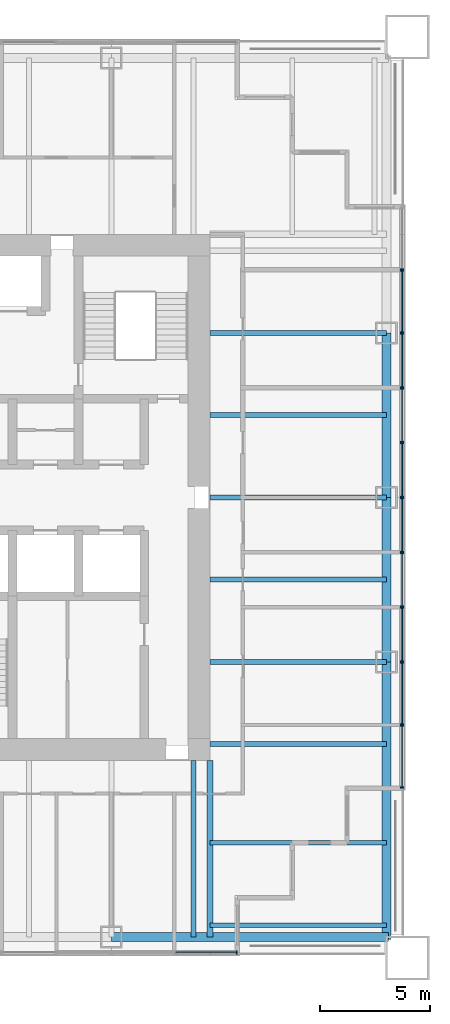
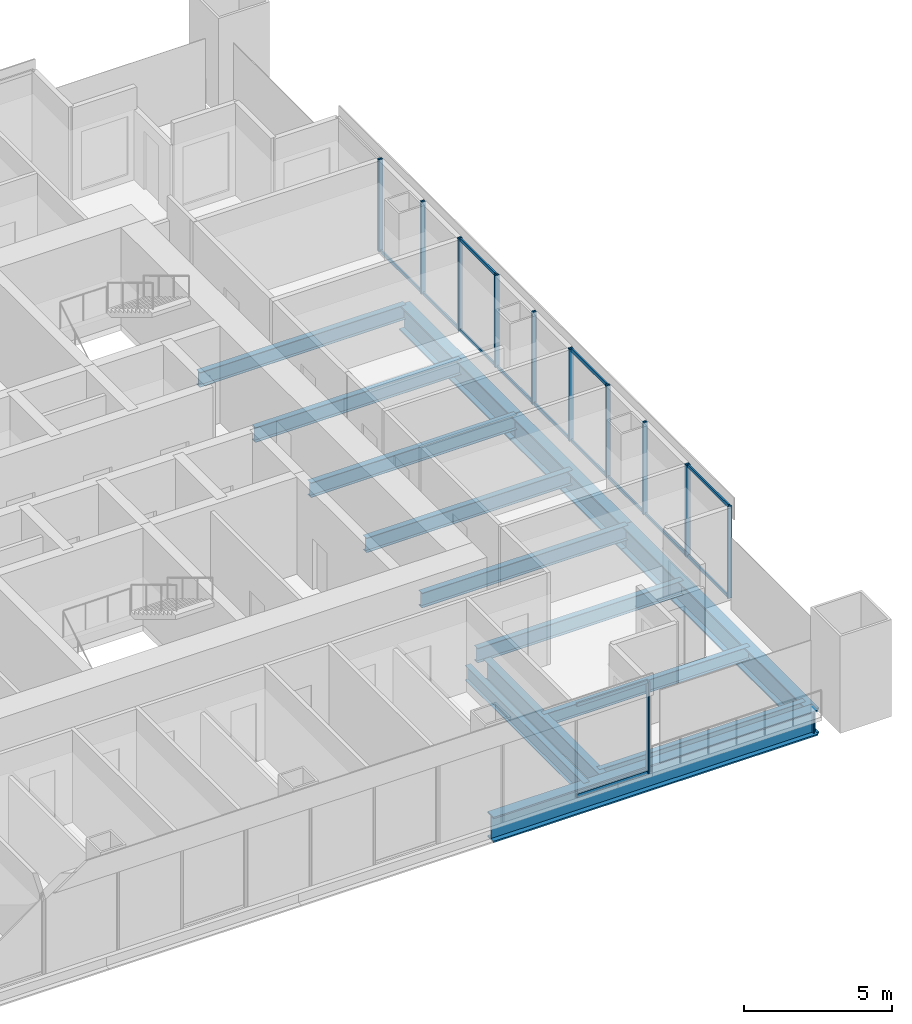
# One storey, part 5 of 15: 34 members, 14 beams, 11 elements without a shape of their own.
"""IFC4 building model written with IfcOpenShell, lengths in metres."""

from ifc_helpers import new_model, si_unit, direction, frame, origin, origin_2d, place, context, subcontext, project, spatial, rectangle, i_section, extrude, material, material_profile, profile_set, type_object, element, aggregate, save


model = new_model("IFC4")

# Units and contexts
model_context = context("Model", 3, precision=1e-05, world=origin(), true_north=direction((0.0, 1.0)))
body_context = subcontext(model_context, "Body", "Model", "MODEL_VIEW")
ifc_project = project(units=[si_unit("LENGTHUNIT", "METRE"), si_unit("AREAUNIT", "SQUARE_METRE"), si_unit("VOLUMEUNIT", "CUBIC_METRE"), si_unit("PLANEANGLEUNIT", "RADIAN"), si_unit("MASSUNIT", "GRAM", prefix="KILO")], contexts=[model_context])

# Site, building, storey
site_placement = place(None, origin())
site = spatial("IfcSite", under=ifc_project, at=site_placement, CompositionType="ELEMENT")
building_placement = place(site_placement, origin())
building = spatial("IfcBuilding", under=site, at=building_placement, Name="Tarangal Relay Tower", CompositionType="ELEMENT")
storey_placement = place(building_placement, frame((0.0, 0.0, 331.89990234375)))
storey = spatial("IfcBuildingStorey", under=building, at=storey_placement, Name="L74", CompositionType="ELEMENT", Elevation=331.89990234375)

# Beams
ifc_material_1 = material(Name="Steel ASTM A992", Category="steel")
ifc_material_profile_1 = material_profile(ifc_material_1, i_section(OverallWidth=0.209228515625, OverallDepth=0.533447265625, WebThickness=0.01025390625, FlangeThickness=0.015625, at=origin_2d()), Name="W21X62")
ifc_profile_set_1 = profile_set([ifc_material_profile_1], Name="Steel ASTM A992")
beam_type_1 = type_object("IfcBeamType", Name="Corner beam W21X62", PredefinedType="JOIST", material=ifc_profile_set_1)
for number, where, z_axis, x_axis, name in (
    (1, (12.0, -15.75, -0.41650390625), (1.0, 0.0, 0.0), (0.0, 1.0, 0.0), "Corner beam CB12 E L74"),
    (2, (12.0, -19.5, -0.41650390625), (1.0, 0.0, 0.0), (0.0, 1.0, 0.0), "Corner beam CB12 E L74"),
):
    element("IfcBeam", number, at=place(storey_placement, frame(where, z_axis=z_axis, x_axis=x_axis)), inside=storey, type_object=beam_type_1, Name=name, PredefinedType="JOIST", context=body_context, shape_type="SweptSolid", body=[
        extrude(i_section(OverallWidth=0.209228515625, OverallDepth=0.533447265625, WebThickness=0.01025390625, FlangeThickness=0.015625, at=origin_2d()), origin(), (0.0, 0.0, 1.0), 8.0400390625),
    ])
ifc_material_profile_2 = material_profile(ifc_material_1, i_section(OverallWidth=0.2919921875, OverallDepth=0.8408203125, WebThickness=0.0146484375, FlangeThickness=0.021728515625, at=origin_2d()), Name="W33X130")
ifc_profile_set_2 = profile_set([ifc_material_profile_2], Name="Steel ASTM A992")
beam_type_2 = type_object("IfcBeamType", Name="Corner girder W33X130", PredefinedType="BEAM", material=ifc_profile_set_2)
beam_placement = place(storey_placement, frame((12.0, -12.0, -0.5703125), z_axis=(0.0, -1.0, 0.0), x_axis=(1.0, 0.0, 0.0)))
element("IfcBeam", 3, at=beam_placement, inside=storey, type_object=beam_type_2, Name="Corner girder CG5 E L74", PredefinedType="BEAM", context=body_context, shape_type="SweptSolid", body=[
    extrude(i_section(OverallWidth=0.2919921875, OverallDepth=0.8408203125, WebThickness=0.0146484375, FlangeThickness=0.021728515625, at=origin_2d()), origin(), (0.0, 0.0, 1.0), 8.0400390625),
])
ifc_material_profile_3 = material_profile(ifc_material_1, i_section(OverallWidth=0.41162109375, OverallDepth=1.049072265625, WebThickness=0.033935546875, FlangeThickness=0.059814453125, at=origin_2d()), Name="W40X431")
ifc_profile_set_3 = profile_set([ifc_material_profile_3], Name="Steel ASTM A992")
beam_type_3 = type_object("IfcBeamType", Name="Edge girder W40X431", PredefinedType="SPANDREL", material=ifc_profile_set_3)
for number, where, z_axis, x_axis, name in (
    (4, (20.0400390625, 7.5, -0.67431640625), (0.0, -1.0, 0.0), (1.0, 0.0, 0.0), "Edge girder EG1 E L74"),
    (5, (20.0400390625, 0.0, -0.67431640625), (0.0, -1.0, 0.0), (1.0, 0.0, 0.0), "Edge girder EG1 E L74"),
):
    element("IfcBeam", number, at=place(storey_placement, frame(where, z_axis=z_axis, x_axis=x_axis)), inside=storey, type_object=beam_type_3, Name=name, PredefinedType="SPANDREL", context=body_context, shape_type="SweptSolid", body=[
        extrude(i_section(OverallWidth=0.41162109375, OverallDepth=1.049072265625, WebThickness=0.033935546875, FlangeThickness=0.059814453125, at=origin_2d()), origin(), (0.0, 0.0, 1.0), 7.5),
    ])
for number, where, z_axis, x_axis, name in (
    (6, (20.0400390625, -7.5, -0.67431640625), (0.0, -1.0, 0.0), (1.0, 0.0, 0.0), "Edge girder EG1 E L74"),
    (7, (20.14990234375, -20.0400390625, -0.67431640625), (-1.0, 0.0, 0.0), (0.0, -1.0, 0.0), "Edge girder EG1 S L74"),
):
    element("IfcBeam", number, at=place(storey_placement, frame(where, z_axis=z_axis, x_axis=x_axis)), inside=storey, type_object=beam_type_3, Name=name, PredefinedType="SPANDREL", context=body_context, shape_type="SweptSolid", body=[
        extrude(i_section(OverallWidth=0.41162109375, OverallDepth=1.049072265625, WebThickness=0.033935546875, FlangeThickness=0.059814453125, at=origin_2d()), origin(), (0.0, 0.0, 1.0), 12.64990234375),
    ])
ifc_material_profile_4 = material_profile(ifc_material_1, i_section(OverallWidth=0.228271484375, OverallDepth=0.607177734375, WebThickness=0.01123046875, FlangeThickness=0.017333984375, at=origin_2d()), Name="W24X76")
ifc_profile_set_4 = profile_set([ifc_material_profile_4], Name="Steel ASTM A992")
beam_type_4 = type_object("IfcBeamType", Name="Floor beam W24X76", PredefinedType="BEAM", material=ifc_profile_set_4)
for number, where, z_axis, x_axis, name in (
    (8, (12.0, 7.5, -0.453369140625), (1.0, 0.0, 0.0), (0.0, 1.0, 0.0), "Floor beam RB5 E L74"),
    (9, (12.0, 3.75, -0.453369140625), (1.0, 0.0, 0.0), (0.0, 1.0, 0.0), "Floor beam RB5 E L74"),
    (10, (12.0, 0.0, -0.453369140625), (1.0, 0.0, 0.0), (0.0, 1.0, 0.0), "Floor beam RB5 E L74"),
    (11, (12.0, -3.75, -0.453369140625), (1.0, 0.0, 0.0), (0.0, 1.0, 0.0), "Floor beam RB5 E L74"),
    (12, (12.0, -7.5, -0.453369140625), (1.0, 0.0, 0.0), (0.0, 1.0, 0.0), "Floor beam RB5 E L74"),
    (13, (12.0, -11.25, -0.453369140625), (1.0, 0.0, 0.0), (0.0, 1.0, 0.0), "Floor beam RB5 E L74"),
    (14, (11.25, -12.0, -0.453369140625), (0.0, -1.0, 0.0), (1.0, 0.0, 0.0), "Floor beam RB5 S L74"),
):
    element("IfcBeam", number, at=place(storey_placement, frame(where, z_axis=z_axis, x_axis=x_axis)), inside=storey, type_object=beam_type_4, Name=name, PredefinedType="BEAM", context=body_context, shape_type="SweptSolid", body=[
        extrude(i_section(OverallWidth=0.228271484375, OverallDepth=0.607177734375, WebThickness=0.01123046875, FlangeThickness=0.017333984375, at=origin_2d()), origin(), (0.0, 0.0, 1.0), 8.0400390625),
    ])

# Curtain wall, member
ifc_material_2 = material(Name="Unitised curtain wall, dark glass and black aluminium", Category="aluminium")
curtain_wall_type_1 = type_object("IfcCurtainWallType", Name="Curtain wall CW-B", PredefinedType="USERDEFINED", material=ifc_material_2)
curtain_wall_1_placement = place(storey_placement, origin())
curtain_wall_1 = element("IfcCurtainWall", 15, at=curtain_wall_1_placement, inside=storey, type_object=curtain_wall_type_1, Name="Curtain wall CW-B E facade L74", ObjectType="UNITISED CURTAIN WALL", PredefinedType="USERDEFINED")
ifc_material_3 = material(Name="Black anodised aluminium mullion", Category="aluminium")
ifc_material_profile_5 = material_profile(ifc_material_3, rectangle(XDim=0.159912109375, YDim=0.06005859375, at=origin_2d()), Name="CW-BM 60X160")
ifc_profile_set_5 = profile_set([ifc_material_profile_5], Name="Black anodised aluminium mullion")
member_type_1 = type_object("IfcMemberType", Name="Mullion CW-B 60 x 160", PredefinedType="MULLION", material=ifc_profile_set_5)
member_1_placement = place(storey_placement, frame((20.75, 10.405029296875, 0.0), z_axis=(0.0, 0.0, 1.0), x_axis=(1.0, 0.0, 0.0)))
member_1 = element("IfcMember", 16, at=member_1_placement, type_object=member_type_1, Name="CW-B mullion 2", PredefinedType="MULLION", context=body_context, shape_type="SweptSolid", body=[
    extrude(rectangle(XDim=0.159912109375, YDim=0.06005859375, at=origin_2d()), origin(), (0.0, 0.0, 1.0), 3.800048828125),
])
aggregate(curtain_wall_1, [member_1])

# Curtain wall, members
curtain_wall_2_placement = place(storey_placement, origin())
curtain_wall_2 = element("IfcCurtainWall", 17, at=curtain_wall_2_placement, inside=storey, type_object=curtain_wall_type_1, Name="Curtain wall CW-B E facade L74", ObjectType="UNITISED CURTAIN WALL", PredefinedType="USERDEFINED")
member_2_placement = place(storey_placement, frame((20.75, 4.969970703125, 0.0), z_axis=(0.0, 0.0, 1.0), x_axis=(1.0, 0.0, 0.0)))
member_2 = element("IfcMember", 18, at=member_2_placement, type_object=member_type_1, Name="CW-B mullion 1", PredefinedType="MULLION", context=body_context, shape_type="SweptSolid", body=[
    extrude(rectangle(XDim=0.159912109375, YDim=0.06005859375, at=origin_2d()), origin(), (0.0, 0.0, 1.0), 3.800048828125),
])
member_3_placement = place(storey_placement, frame((20.75, 2.530029296875, 0.0), z_axis=(0.0, 0.0, 1.0), x_axis=(1.0, 0.0, 0.0)))
member_3 = element("IfcMember", 19, at=member_3_placement, type_object=member_type_1, Name="CW-B mullion 2", PredefinedType="MULLION", context=body_context, shape_type="SweptSolid", body=[
    extrude(rectangle(XDim=0.159912109375, YDim=0.06005859375, at=origin_2d()), origin(), (0.0, 0.0, 1.0), 3.800048828125),
])

curtain_wall_3_placement = place(storey_placement, origin())
curtain_wall_3 = element("IfcCurtainWall", 20, at=curtain_wall_3_placement, inside=storey, type_object=curtain_wall_type_1, Name="Curtain wall CW-B E facade L74", ObjectType="UNITISED CURTAIN WALL", PredefinedType="USERDEFINED")
member_4_placement = place(storey_placement, frame((20.75, -2.530029296875, 0.0), z_axis=(0.0, 0.0, 1.0), x_axis=(1.0, 0.0, 0.0)))
member_4 = element("IfcMember", 21, at=member_4_placement, type_object=member_type_1, Name="CW-B mullion 1", PredefinedType="MULLION", context=body_context, shape_type="SweptSolid", body=[
    extrude(rectangle(XDim=0.159912109375, YDim=0.06005859375, at=origin_2d()), origin(), (0.0, 0.0, 1.0), 3.800048828125),
])
member_5_placement = place(storey_placement, frame((20.75, -4.969970703125, 0.0), z_axis=(0.0, 0.0, 1.0), x_axis=(1.0, 0.0, 0.0)))
member_5 = element("IfcMember", 22, at=member_5_placement, type_object=member_type_1, Name="CW-B mullion 2", PredefinedType="MULLION", context=body_context, shape_type="SweptSolid", body=[
    extrude(rectangle(XDim=0.159912109375, YDim=0.06005859375, at=origin_2d()), origin(), (0.0, 0.0, 1.0), 3.800048828125),
])

curtain_wall_4_placement = place(storey_placement, origin())
curtain_wall_4 = element("IfcCurtainWall", 23, at=curtain_wall_4_placement, inside=storey, type_object=curtain_wall_type_1, Name="Curtain wall CW-B E facade L74", ObjectType="UNITISED CURTAIN WALL", PredefinedType="USERDEFINED")
member_6_placement = place(storey_placement, frame((20.75, -10.405029296875, 0.0), z_axis=(0.0, 0.0, 1.0), x_axis=(1.0, 0.0, 0.0)))
member_6 = element("IfcMember", 24, at=member_6_placement, type_object=member_type_1, Name="CW-B mullion 1", PredefinedType="MULLION", context=body_context, shape_type="SweptSolid", body=[
    extrude(rectangle(XDim=0.159912109375, YDim=0.06005859375, at=origin_2d()), origin(), (0.0, 0.0, 1.0), 3.800048828125),
])
member_7_placement = place(storey_placement, frame((20.75, -13.219970703125, 0.0), z_axis=(0.0, 0.0, 1.0), x_axis=(1.0, 0.0, 0.0)))
member_7 = element("IfcMember", 25, at=member_7_placement, type_object=member_type_1, Name="CW-B mullion 2", PredefinedType="MULLION", context=body_context, shape_type="SweptSolid", body=[
    extrude(rectangle(XDim=0.159912109375, YDim=0.06005859375, at=origin_2d()), origin(), (0.0, 0.0, 1.0), 3.800048828125),
])

# Curtain wall, member
curtain_wall_5_placement = place(storey_placement, origin())
curtain_wall_5 = element("IfcCurtainWall", 26, at=curtain_wall_5_placement, inside=storey, type_object=curtain_wall_type_1, Name="Curtain wall CW-B S facade L74", ObjectType="UNITISED CURTAIN WALL", PredefinedType="USERDEFINED")
member_8_placement = place(storey_placement, frame((13.219970703125, -20.75, 0.0), z_axis=(0.0, 0.0, 1.0), x_axis=(0.0, -1.0, 0.0)))
member_8 = element("IfcMember", 27, at=member_8_placement, type_object=member_type_1, Name="CW-B mullion 1", PredefinedType="MULLION", context=body_context, shape_type="SweptSolid", body=[
    extrude(rectangle(XDim=0.159912109375, YDim=0.06005859375, at=origin_2d()), origin(), (0.0, 0.0, 1.0), 3.800048828125),
])

# Curtain wall, members
ifc_material_4 = material(Name="Unitised curtain wall frame, black aluminium, with metal clad infill walls", Category="aluminium")
curtain_wall_type_2 = type_object("IfcCurtainWallType", Name="Curtain wall CW-BO", PredefinedType="USERDEFINED", material=ifc_material_4)
curtain_wall_6_placement = place(storey_placement, origin())
curtain_wall_6 = element("IfcCurtainWall", 28, at=curtain_wall_6_placement, inside=storey, type_object=curtain_wall_type_2, Name="Curtain wall CW-BO E facade L74", ObjectType="UNITISED CURTAIN WALL", PredefinedType="USERDEFINED")
ifc_material_profile_6 = material_profile(ifc_material_3, rectangle(XDim=0.159912109375, YDim=0.06005859375, at=origin_2d()), Name="CW-BOM 60X160")
ifc_profile_set_6 = profile_set([ifc_material_profile_6], Name="Black anodised aluminium mullion")
member_type_2 = type_object("IfcMemberType", Name="Mullion CW-BO 60 x 160", PredefinedType="MULLION", material=ifc_profile_set_6)
member_9_placement = place(storey_placement, frame((20.75, 10.344970703125, 0.0), z_axis=(0.0, 0.0, 1.0), x_axis=(1.0, 0.0, 0.0)))
member_9 = element("IfcMember", 29, at=member_9_placement, type_object=member_type_2, Name="CW-BO mullion 1", PredefinedType="MULLION", context=body_context, shape_type="SweptSolid", body=[
    extrude(rectangle(XDim=0.159912109375, YDim=0.06005859375, at=origin_2d()), origin(), (0.0, 0.0, 1.0), 3.800048828125),
])
member_10_placement = place(storey_placement, frame((20.75, 7.530029296875, 0.0), z_axis=(0.0, 0.0, 1.0), x_axis=(1.0, 0.0, 0.0)))
member_10 = element("IfcMember", 30, at=member_10_placement, type_object=member_type_2, Name="CW-BO mullion 2", PredefinedType="MULLION", context=body_context, shape_type="SweptSolid", body=[
    extrude(rectangle(XDim=0.159912109375, YDim=0.06005859375, at=origin_2d()), origin(), (0.0, 0.0, 1.0), 3.800048828125),
])

curtain_wall_7_placement = place(storey_placement, origin())
curtain_wall_7 = element("IfcCurtainWall", 31, at=curtain_wall_7_placement, inside=storey, type_object=curtain_wall_type_2, Name="Curtain wall CW-BO E facade L74", ObjectType="UNITISED CURTAIN WALL", PredefinedType="USERDEFINED")
member_11_placement = place(storey_placement, frame((20.75, 7.469970703125, 0.0), z_axis=(0.0, 0.0, 1.0), x_axis=(1.0, 0.0, 0.0)))
member_11 = element("IfcMember", 32, at=member_11_placement, type_object=member_type_2, Name="CW-BO mullion 1", PredefinedType="MULLION", context=body_context, shape_type="SweptSolid", body=[
    extrude(rectangle(XDim=0.159912109375, YDim=0.06005859375, at=origin_2d()), origin(), (0.0, 0.0, 1.0), 3.800048828125),
])
member_12_placement = place(storey_placement, frame((20.75, 5.030029296875, 0.0), z_axis=(0.0, 0.0, 1.0), x_axis=(1.0, 0.0, 0.0)))
member_12 = element("IfcMember", 33, at=member_12_placement, type_object=member_type_2, Name="CW-BO mullion 2", PredefinedType="MULLION", context=body_context, shape_type="SweptSolid", body=[
    extrude(rectangle(XDim=0.159912109375, YDim=0.06005859375, at=origin_2d()), origin(), (0.0, 0.0, 1.0), 3.800048828125),
])

curtain_wall_8_placement = place(storey_placement, origin())
curtain_wall_8 = element("IfcCurtainWall", 34, at=curtain_wall_8_placement, inside=storey, type_object=curtain_wall_type_2, Name="Curtain wall CW-BO E facade L74", ObjectType="UNITISED CURTAIN WALL", PredefinedType="USERDEFINED")
member_13_placement = place(storey_placement, frame((20.75, 2.469970703125, 0.0), z_axis=(0.0, 0.0, 1.0), x_axis=(1.0, 0.0, 0.0)))
member_13 = element("IfcMember", 35, at=member_13_placement, type_object=member_type_2, Name="CW-BO mullion 1", PredefinedType="MULLION", context=body_context, shape_type="SweptSolid", body=[
    extrude(rectangle(XDim=0.159912109375, YDim=0.06005859375, at=origin_2d()), origin(), (0.0, 0.0, 1.0), 3.800048828125),
])
member_14_placement = place(storey_placement, frame((20.75, 0.030029296875, 0.0), z_axis=(0.0, 0.0, 1.0), x_axis=(1.0, 0.0, 0.0)))
member_14 = element("IfcMember", 36, at=member_14_placement, type_object=member_type_2, Name="CW-BO mullion 2", PredefinedType="MULLION", context=body_context, shape_type="SweptSolid", body=[
    extrude(rectangle(XDim=0.159912109375, YDim=0.06005859375, at=origin_2d()), origin(), (0.0, 0.0, 1.0), 3.800048828125),
])

curtain_wall_9_placement = place(storey_placement, origin())
curtain_wall_9 = element("IfcCurtainWall", 37, at=curtain_wall_9_placement, inside=storey, type_object=curtain_wall_type_2, Name="Curtain wall CW-BO E facade L74", ObjectType="UNITISED CURTAIN WALL", PredefinedType="USERDEFINED")
member_15_placement = place(storey_placement, frame((20.75, -0.030029296875, 0.0), z_axis=(0.0, 0.0, 1.0), x_axis=(1.0, 0.0, 0.0)))
member_15 = element("IfcMember", 38, at=member_15_placement, type_object=member_type_2, Name="CW-BO mullion 1", PredefinedType="MULLION", context=body_context, shape_type="SweptSolid", body=[
    extrude(rectangle(XDim=0.159912109375, YDim=0.06005859375, at=origin_2d()), origin(), (0.0, 0.0, 1.0), 3.800048828125),
])
member_16_placement = place(storey_placement, frame((20.75, -2.469970703125, 0.0), z_axis=(0.0, 0.0, 1.0), x_axis=(1.0, 0.0, 0.0)))
member_16 = element("IfcMember", 39, at=member_16_placement, type_object=member_type_2, Name="CW-BO mullion 2", PredefinedType="MULLION", context=body_context, shape_type="SweptSolid", body=[
    extrude(rectangle(XDim=0.159912109375, YDim=0.06005859375, at=origin_2d()), origin(), (0.0, 0.0, 1.0), 3.800048828125),
])

curtain_wall_10_placement = place(storey_placement, origin())
curtain_wall_10 = element("IfcCurtainWall", 40, at=curtain_wall_10_placement, inside=storey, type_object=curtain_wall_type_2, Name="Curtain wall CW-BO E facade L74", ObjectType="UNITISED CURTAIN WALL", PredefinedType="USERDEFINED")
member_17_placement = place(storey_placement, frame((20.75, -5.030029296875, 0.0), z_axis=(0.0, 0.0, 1.0), x_axis=(1.0, 0.0, 0.0)))
member_17 = element("IfcMember", 41, at=member_17_placement, type_object=member_type_2, Name="CW-BO mullion 1", PredefinedType="MULLION", context=body_context, shape_type="SweptSolid", body=[
    extrude(rectangle(XDim=0.159912109375, YDim=0.06005859375, at=origin_2d()), origin(), (0.0, 0.0, 1.0), 3.800048828125),
])
member_18_placement = place(storey_placement, frame((20.75, -7.469970703125, 0.0), z_axis=(0.0, 0.0, 1.0), x_axis=(1.0, 0.0, 0.0)))
member_18 = element("IfcMember", 42, at=member_18_placement, type_object=member_type_2, Name="CW-BO mullion 2", PredefinedType="MULLION", context=body_context, shape_type="SweptSolid", body=[
    extrude(rectangle(XDim=0.159912109375, YDim=0.06005859375, at=origin_2d()), origin(), (0.0, 0.0, 1.0), 3.800048828125),
])

curtain_wall_11_placement = place(storey_placement, origin())
curtain_wall_11 = element("IfcCurtainWall", 43, at=curtain_wall_11_placement, inside=storey, type_object=curtain_wall_type_2, Name="Curtain wall CW-BO E facade L74", ObjectType="UNITISED CURTAIN WALL", PredefinedType="USERDEFINED")
member_19_placement = place(storey_placement, frame((20.75, -7.530029296875, 0.0), z_axis=(0.0, 0.0, 1.0), x_axis=(1.0, 0.0, 0.0)))
member_19 = element("IfcMember", 44, at=member_19_placement, type_object=member_type_2, Name="CW-BO mullion 1", PredefinedType="MULLION", context=body_context, shape_type="SweptSolid", body=[
    extrude(rectangle(XDim=0.159912109375, YDim=0.06005859375, at=origin_2d()), origin(), (0.0, 0.0, 1.0), 3.800048828125),
])
member_20_placement = place(storey_placement, frame((20.75, -10.344970703125, 0.0), z_axis=(0.0, 0.0, 1.0), x_axis=(1.0, 0.0, 0.0)))
member_20 = element("IfcMember", 45, at=member_20_placement, type_object=member_type_2, Name="CW-BO mullion 2", PredefinedType="MULLION", context=body_context, shape_type="SweptSolid", body=[
    extrude(rectangle(XDim=0.159912109375, YDim=0.06005859375, at=origin_2d()), origin(), (0.0, 0.0, 1.0), 3.800048828125),
])

# Member
ifc_material_5 = material(Name="Black anodised aluminium transom", Category="aluminium")
ifc_material_profile_7 = material_profile(ifc_material_5, rectangle(XDim=0.06005859375, YDim=0.1298828125, at=origin_2d()), Name="CW-BT 60X130")
ifc_profile_set_7 = profile_set([ifc_material_profile_7], Name="Black anodised aluminium transom")
member_type_3 = type_object("IfcMemberType", Name="Transom CW-B 60 x 130", PredefinedType="USERDEFINED", material=ifc_profile_set_7)
member_21_placement = place(storey_placement, frame((20.75, 4.93994140625, 0.030029296875), z_axis=(0.0, -1.0, 0.0), x_axis=(1.0, 0.0, 0.0)))
member_21 = element("IfcMember", 46, at=member_21_placement, type_object=member_type_3, Name="CW-B transom 1.1", ObjectType="TRANSOM", PredefinedType="USERDEFINED", context=body_context, shape_type="SweptSolid", body=[
    extrude(rectangle(XDim=0.06005859375, YDim=0.1298828125, at=origin_2d()), origin(), (0.0, 0.0, 1.0), 2.3798828125),
])

member_22_placement = place(storey_placement, frame((20.75, 4.93994140625, 3.77001953125), z_axis=(0.0, -1.0, 0.0), x_axis=(1.0, 0.0, 0.0)))
member_22 = element("IfcMember", 47, at=member_22_placement, type_object=member_type_3, Name="CW-B transom 1.2", ObjectType="TRANSOM", PredefinedType="USERDEFINED", context=body_context, shape_type="SweptSolid", body=[
    extrude(rectangle(XDim=0.06005859375, YDim=0.1298828125, at=origin_2d()), origin(), (0.0, 0.0, 1.0), 2.3798828125),
])

aggregate(curtain_wall_2, [member_2, member_3, member_21, member_22])

member_23_placement = place(storey_placement, frame((20.75, -2.56005859375, 0.030029296875), z_axis=(0.0, -1.0, 0.0), x_axis=(1.0, 0.0, 0.0)))
member_23 = element("IfcMember", 48, at=member_23_placement, type_object=member_type_3, Name="CW-B transom 1.1", ObjectType="TRANSOM", PredefinedType="USERDEFINED", context=body_context, shape_type="SweptSolid", body=[
    extrude(rectangle(XDim=0.06005859375, YDim=0.1298828125, at=origin_2d()), origin(), (0.0, 0.0, 1.0), 2.3798828125),
])

member_24_placement = place(storey_placement, frame((20.75, -2.56005859375, 3.77001953125), z_axis=(0.0, -1.0, 0.0), x_axis=(1.0, 0.0, 0.0)))
member_24 = element("IfcMember", 49, at=member_24_placement, type_object=member_type_3, Name="CW-B transom 1.2", ObjectType="TRANSOM", PredefinedType="USERDEFINED", context=body_context, shape_type="SweptSolid", body=[
    extrude(rectangle(XDim=0.06005859375, YDim=0.1298828125, at=origin_2d()), origin(), (0.0, 0.0, 1.0), 2.3798828125),
])

aggregate(curtain_wall_3, [member_4, member_5, member_23, member_24])

member_25_placement = place(storey_placement, frame((20.75, -10.43505859375, 0.030029296875), z_axis=(0.0, -1.0, 0.0), x_axis=(1.0, 0.0, 0.0)))
member_25 = element("IfcMember", 50, at=member_25_placement, type_object=member_type_3, Name="CW-B transom 1.1", ObjectType="TRANSOM", PredefinedType="USERDEFINED", context=body_context, shape_type="SweptSolid", body=[
    extrude(rectangle(XDim=0.06005859375, YDim=0.1298828125, at=origin_2d()), origin(), (0.0, 0.0, 1.0), 2.7548828125),
])

member_26_placement = place(storey_placement, frame((20.75, -10.43505859375, 3.77001953125), z_axis=(0.0, -1.0, 0.0), x_axis=(1.0, 0.0, 0.0)))
member_26 = element("IfcMember", 51, at=member_26_placement, type_object=member_type_3, Name="CW-B transom 1.2", ObjectType="TRANSOM", PredefinedType="USERDEFINED", context=body_context, shape_type="SweptSolid", body=[
    extrude(rectangle(XDim=0.06005859375, YDim=0.1298828125, at=origin_2d()), origin(), (0.0, 0.0, 1.0), 2.7548828125),
])

aggregate(curtain_wall_4, [member_6, member_7, member_25, member_26])

member_27_placement = place(storey_placement, frame((13.18994140625, -20.75, 0.030029296875), z_axis=(-1.0, 0.0, 0.0), x_axis=(0.0, -1.0, 0.0)))
member_27 = element("IfcMember", 52, at=member_27_placement, type_object=member_type_3, Name="CW-B transom 1.1", ObjectType="TRANSOM", PredefinedType="USERDEFINED", context=body_context, shape_type="SweptSolid", body=[
    extrude(rectangle(XDim=0.06005859375, YDim=0.1298828125, at=origin_2d()), origin(), (0.0, 0.0, 1.0), 2.7548828125),
])

member_28_placement = place(storey_placement, frame((13.18994140625, -20.75, 3.77001953125), z_axis=(-1.0, 0.0, 0.0), x_axis=(0.0, -1.0, 0.0)))
member_28 = element("IfcMember", 53, at=member_28_placement, type_object=member_type_3, Name="CW-B transom 1.2", ObjectType="TRANSOM", PredefinedType="USERDEFINED", context=body_context, shape_type="SweptSolid", body=[
    extrude(rectangle(XDim=0.06005859375, YDim=0.1298828125, at=origin_2d()), origin(), (0.0, 0.0, 1.0), 2.7548828125),
])

aggregate(curtain_wall_5, [member_8, member_27, member_28])

ifc_material_profile_8 = material_profile(ifc_material_5, rectangle(XDim=0.06005859375, YDim=0.1298828125, at=origin_2d()), Name="CW-BOT 60X130")
ifc_profile_set_8 = profile_set([ifc_material_profile_8], Name="Black anodised aluminium transom")
member_type_4 = type_object("IfcMemberType", Name="Transom CW-BO 60 x 130", PredefinedType="USERDEFINED", material=ifc_profile_set_8)
member_29_placement = place(storey_placement, frame((20.75, 10.31494140625, 0.030029296875), z_axis=(0.0, -1.0, 0.0), x_axis=(1.0, 0.0, 0.0)))
member_29 = element("IfcMember", 54, at=member_29_placement, type_object=member_type_4, Name="CW-BO transom 1.1", ObjectType="TRANSOM", PredefinedType="USERDEFINED", context=body_context, shape_type="SweptSolid", body=[
    extrude(rectangle(XDim=0.06005859375, YDim=0.1298828125, at=origin_2d()), origin(), (0.0, 0.0, 1.0), 2.7548828125),
])

aggregate(curtain_wall_6, [member_9, member_10, member_29])

member_30_placement = place(storey_placement, frame((20.75, 7.43994140625, 0.030029296875), z_axis=(0.0, -1.0, 0.0), x_axis=(1.0, 0.0, 0.0)))
member_30 = element("IfcMember", 55, at=member_30_placement, type_object=member_type_4, Name="CW-BO transom 1.1", ObjectType="TRANSOM", PredefinedType="USERDEFINED", context=body_context, shape_type="SweptSolid", body=[
    extrude(rectangle(XDim=0.06005859375, YDim=0.1298828125, at=origin_2d()), origin(), (0.0, 0.0, 1.0), 2.3798828125),
])

aggregate(curtain_wall_7, [member_11, member_12, member_30])

member_31_placement = place(storey_placement, frame((20.75, 2.43994140625, 0.030029296875), z_axis=(0.0, -1.0, 0.0), x_axis=(1.0, 0.0, 0.0)))
member_31 = element("IfcMember", 56, at=member_31_placement, type_object=member_type_4, Name="CW-BO transom 1.1", ObjectType="TRANSOM", PredefinedType="USERDEFINED", context=body_context, shape_type="SweptSolid", body=[
    extrude(rectangle(XDim=0.06005859375, YDim=0.1298828125, at=origin_2d()), origin(), (0.0, 0.0, 1.0), 2.3798828125),
])

aggregate(curtain_wall_8, [member_13, member_14, member_31])

member_32_placement = place(storey_placement, frame((20.75, -0.06005859375, 0.030029296875), z_axis=(0.0, -1.0, 0.0), x_axis=(1.0, 0.0, 0.0)))
member_32 = element("IfcMember", 57, at=member_32_placement, type_object=member_type_4, Name="CW-BO transom 1.1", ObjectType="TRANSOM", PredefinedType="USERDEFINED", context=body_context, shape_type="SweptSolid", body=[
    extrude(rectangle(XDim=0.06005859375, YDim=0.1298828125, at=origin_2d()), origin(), (0.0, 0.0, 1.0), 2.3798828125),
])

aggregate(curtain_wall_9, [member_15, member_16, member_32])

member_33_placement = place(storey_placement, frame((20.75, -5.06005859375, 0.030029296875), z_axis=(0.0, -1.0, 0.0), x_axis=(1.0, 0.0, 0.0)))
member_33 = element("IfcMember", 58, at=member_33_placement, type_object=member_type_4, Name="CW-BO transom 1.1", ObjectType="TRANSOM", PredefinedType="USERDEFINED", context=body_context, shape_type="SweptSolid", body=[
    extrude(rectangle(XDim=0.06005859375, YDim=0.1298828125, at=origin_2d()), origin(), (0.0, 0.0, 1.0), 2.3798828125),
])

aggregate(curtain_wall_10, [member_17, member_18, member_33])

member_34_placement = place(storey_placement, frame((20.75, -7.56005859375, 0.030029296875), z_axis=(0.0, -1.0, 0.0), x_axis=(1.0, 0.0, 0.0)))
member_34 = element("IfcMember", 59, at=member_34_placement, type_object=member_type_4, Name="CW-BO transom 1.1", ObjectType="TRANSOM", PredefinedType="USERDEFINED", context=body_context, shape_type="SweptSolid", body=[
    extrude(rectangle(XDim=0.06005859375, YDim=0.1298828125, at=origin_2d()), origin(), (0.0, 0.0, 1.0), 2.7548828125),
])

aggregate(curtain_wall_11, [member_19, member_20, member_34])

save(model, "model.ifc")
